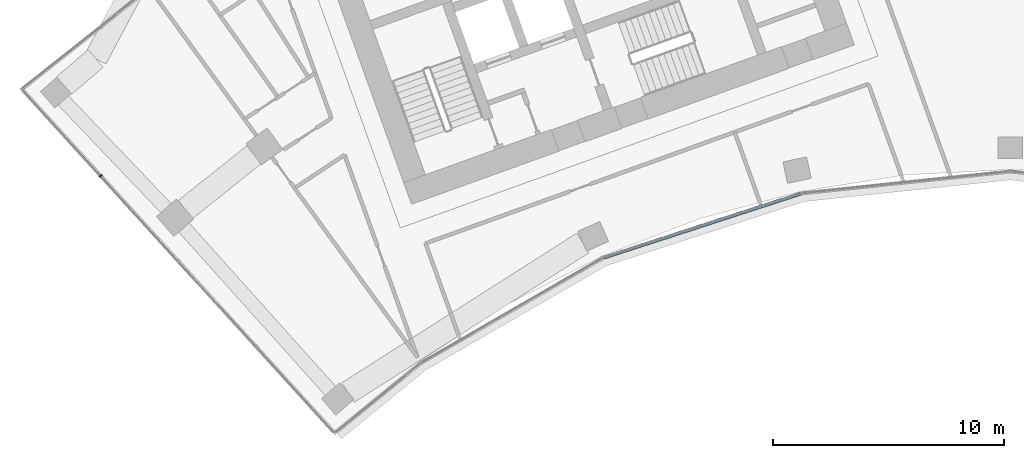
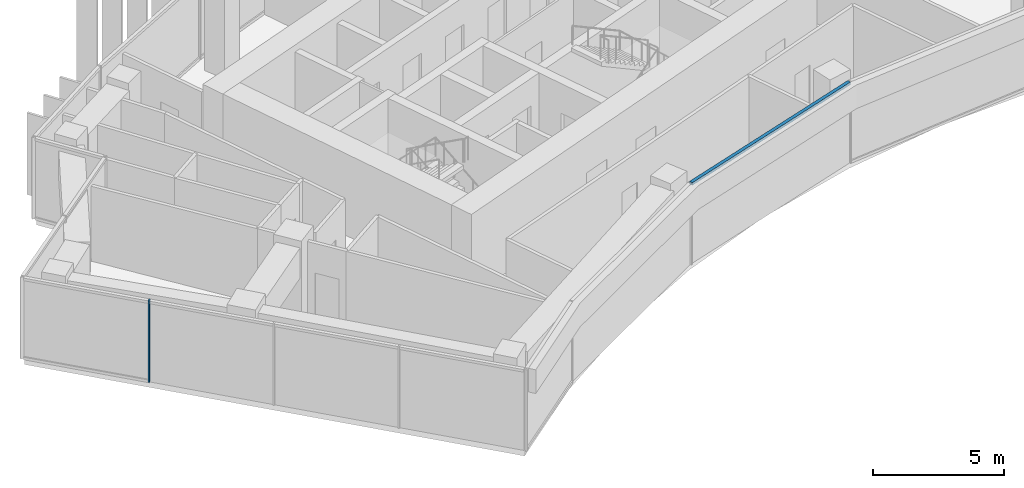
# One storey, part 3 of 19: 2 members, 2 elements without a shape of their own.
"""IFC4 building model written with IfcOpenShell, lengths in metres."""

from ifc_helpers import new_model, si_unit, direction, frame, origin, origin_2d, place, context, subcontext, project, spatial, rectangle, extrude, material, layer, layer_set, material_profile, profile_set, type_object, element, aggregate, save


model = new_model("IFC4")

# Units and contexts
model_context = context("Model", 3, precision=1e-05, world=origin(), true_north=direction((0.0, 1.0)))
body_context = subcontext(model_context, "Body", "Model", "MODEL_VIEW")
ifc_project = project(units=[si_unit("LENGTHUNIT", "METRE"), si_unit("AREAUNIT", "SQUARE_METRE"), si_unit("VOLUMEUNIT", "CUBIC_METRE"), si_unit("PLANEANGLEUNIT", "RADIAN"), si_unit("MASSUNIT", "GRAM", prefix="KILO")], contexts=[model_context])

# Site, building, storey
site_placement = place(None, origin())
site = spatial("IfcSite", under=ifc_project, at=site_placement, CompositionType="ELEMENT")
building_placement = place(site_placement, origin())
building = spatial("IfcBuilding", under=site, at=building_placement, Name="Stone Belt Terrace Tower", CompositionType="ELEMENT")
storey_placement = place(building_placement, frame((0.0, 0.0, 235.199951171875)))
storey = spatial("IfcBuildingStorey", under=building, at=storey_placement, Name="L57", CompositionType="ELEMENT", Elevation=235.199951171875)

# Curtain wall, member
ifc_material = material(Name="Aluminium 6063-T6 anodised frame", Category="aluminium")
ifc_layer_1 = layer(ifc_material, 0.14990234375)
ifc_layer_set_1 = layer_set([ifc_layer_1], Name="CW-B unitised concave-face curtain wall")
curtain_wall_type_1 = type_object("IfcCurtainWallType", Name="CW-B unitised concave-face curtain wall", PredefinedType="NOTDEFINED", material=ifc_layer_set_1)
curtain_wall_1_placement = place(storey_placement, origin())
curtain_wall_1 = element("IfcCurtainWall", 1, at=curtain_wall_1_placement, inside=storey, type_object=curtain_wall_type_1, Name="CW-B concave face L57", PredefinedType="NOTDEFINED")
ifc_material_profile_1 = material_profile(ifc_material, rectangle(XDim=0.14990234375, YDim=0.1201171875, at=origin_2d()), Name="Aluminium 6063-T6 150x120")
ifc_profile_set_1 = profile_set([ifc_material_profile_1], Name="Aluminium 6063-T6 anodised frame")
member_type_1 = type_object("IfcMemberType", Name="CW-B transom 120 x 150", PredefinedType="USERDEFINED", material=ifc_profile_set_1)
member_1_placement = place(storey_placement, frame((-17.63134765625, 39.680419921875, 3.739990234375), z_axis=(0.951055963285, 0.309018696359, 0.0), x_axis=(-0.309018696359, 0.951055963285, 0.0)))
member_1 = element("IfcMember", 2, at=member_1_placement, type_object=member_type_1, Name="CW-B transom 3.1", ObjectType="TRANSOM", PredefinedType="USERDEFINED", context=body_context, shape_type="SweptSolid", body=[
    extrude(rectangle(XDim=0.14990234375, YDim=0.1201171875, at=origin_2d()), origin(), (0.0, 0.0, 1.0), 9.012939453125),
])
aggregate(curtain_wall_1, [member_1])

ifc_layer_2 = layer(ifc_material, 0.14990234375)
ifc_layer_set_2 = layer_set([ifc_layer_2], Name="CW-C stick curtain wall, horn ends and notches")
curtain_wall_type_2 = type_object("IfcCurtainWallType", Name="CW-C stick curtain wall, horn ends and notches", PredefinedType="NOTDEFINED", material=ifc_layer_set_2)
curtain_wall_2_placement = place(storey_placement, origin())
curtain_wall_2 = element("IfcCurtainWall", 3, at=curtain_wall_2_placement, inside=storey, type_object=curtain_wall_type_2, Name="CW-C end face L57", PredefinedType="NOTDEFINED")
ifc_material_profile_2 = material_profile(ifc_material, rectangle(XDim=0.14990234375, YDim=0.06005859375, at=origin_2d()), Name="Aluminium 6063-T6 60x150")
ifc_profile_set_2 = profile_set([ifc_material_profile_2], Name="Aluminium 6063-T6 anodised frame")
member_type_2 = type_object("IfcMemberType", Name="CW-C mullion 60 x 150", PredefinedType="MULLION", material=ifc_profile_set_2)
member_2_placement = place(storey_placement, frame((-39.422607421875, 43.2216796875, 0.0), z_axis=(0.0, 0.0, 1.0), x_axis=(0.739693315468, 0.672944127735, 0.0)))
member_2 = element("IfcMember", 4, at=member_2_placement, type_object=member_type_2, Name="CW-C mullion 2", PredefinedType="MULLION", context=body_context, shape_type="SweptSolid", body=[
    extrude(rectangle(XDim=0.14990234375, YDim=0.06005859375, at=origin_2d()), origin(), (0.0, 0.0, 1.0), 3.800048828125),
])
aggregate(curtain_wall_2, [member_2])

save(model, "model.ifc")
